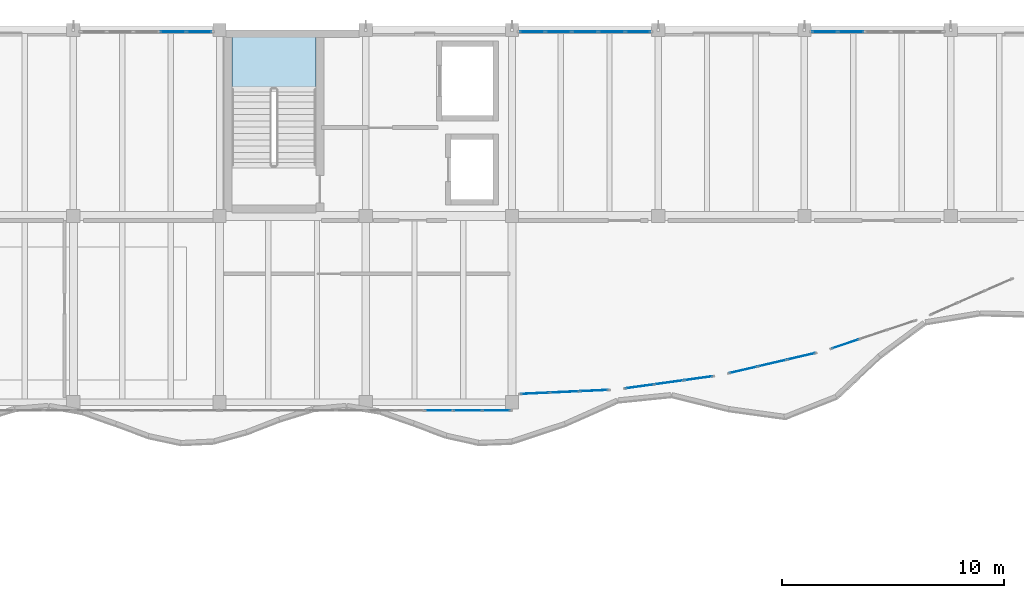
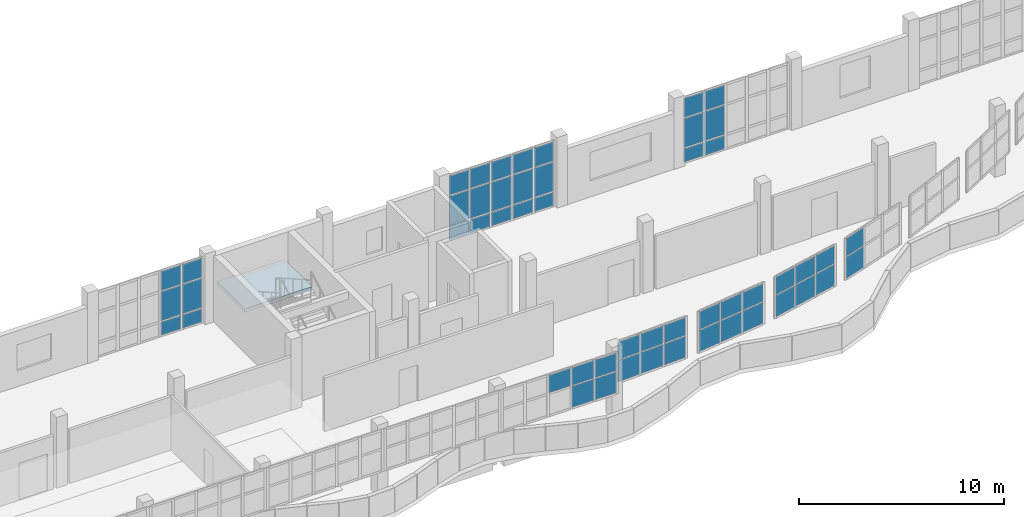
# One storey, part 37 of 74: 52 plates, 1 slab, 9 elements without a shape of their own.
"""IFC4 building model written with IfcOpenShell, lengths in metres."""

from ifc_helpers import new_model, si_unit, direction, frame, origin, origin_2d, place, context, subcontext, project, spatial, polyline, rectangle, outline, extrude, material, layer, layer_set, type_object, element, aggregate, save


model = new_model("IFC4")

# Units and contexts
model_context = context("Model", 3, precision=1e-05, world=origin(), true_north=direction((0.0, 1.0)))
body_context = subcontext(model_context, "Body", "Model", "MODEL_VIEW")
ifc_project = project(units=[si_unit("LENGTHUNIT", "METRE"), si_unit("AREAUNIT", "SQUARE_METRE"), si_unit("VOLUMEUNIT", "CUBIC_METRE"), si_unit("PLANEANGLEUNIT", "RADIAN"), si_unit("MASSUNIT", "GRAM", prefix="KILO")], contexts=[model_context])

# Site, building, storey
site_placement = place(None, origin())
site = spatial("IfcSite", under=ifc_project, at=site_placement, CompositionType="ELEMENT")
building_placement = place(site_placement, origin())
building = spatial("IfcBuilding", under=site, at=building_placement, Name="Qaldarim Faculty of Natural and Applied Sciences", CompositionType="ELEMENT")
storey_placement = place(building_placement, frame((0.0, 0.0, 14.39990234375)))
storey = spatial("IfcBuildingStorey", under=building, at=storey_placement, Name="L03", CompositionType="ELEMENT", Elevation=14.39990234375)

# Curtain wall, plates
ifc_material_1 = material(Name="Anodised aluminium AW-6063", Category="aluminium")
curtain_wall_type_1 = type_object("IfcCurtainWallType", Name="CurtainWallSystem-M1200", PredefinedType="USERDEFINED", material=ifc_material_1)
curtain_wall_1_placement = place(storey_placement, origin())
curtain_wall_1 = element("IfcCurtainWall", 1, at=curtain_wall_1_placement, inside=storey, type_object=curtain_wall_type_1, Name="Curtain wall CW-L03-N-X15Y14", ObjectType="STICK CURTAIN WALL", PredefinedType="USERDEFINED")
ifc_material_2 = material(Name="Insulated low-e double glazing", Category="glass")
ifc_layer_1 = layer(ifc_material_2, 0.031982421875)
ifc_layer_set_1 = layer_set([ifc_layer_1], Name="Insulated low-e double glazing")
plate_type_1 = type_object("IfcPlateType", Name="SolarControlGlazingPanel-32", PredefinedType="CURTAIN_PANEL", material=ifc_layer_set_1)
plate_1_placement = place(storey_placement, frame((98.08642578125, 117.52001953125, 0.070068359375), z_axis=(0.0, 0.0, 1.0), x_axis=(-1.0, 0.0, 0.0)))
plate_1 = element("IfcPlate", 2, at=plate_1_placement, type_object=plate_type_1, Name="Glazed panel 1-1 of CW-L03-N-X15Y14", PredefinedType="CURTAIN_PANEL", context=body_context, shape_type="SweptSolid", body=[
    extrude(rectangle(XDim=1.096923828125, YDim=0.031982421875, at=origin_2d()), origin(), (0.0, 0.0, 1.0), 0.794921875),
])
plate_2_placement = place(storey_placement, frame((98.08642578125, 117.52001953125, 0.93505859375), z_axis=(0.0, 0.0, 1.0), x_axis=(-1.0, 0.0, 0.0)))
plate_2 = element("IfcPlate", 3, at=plate_2_placement, type_object=plate_type_1, Name="Glazed panel 1-2 of CW-L03-N-X15Y14", PredefinedType="CURTAIN_PANEL", context=body_context, shape_type="SweptSolid", body=[
    extrude(rectangle(XDim=1.096923828125, YDim=0.031982421875, at=origin_2d()), origin(), (0.0, 0.0, 1.0), 1.72998046875),
])
plate_3_placement = place(storey_placement, frame((98.08642578125, 117.52001953125, 2.73486328125), z_axis=(0.0, 0.0, 1.0), x_axis=(-1.0, 0.0, 0.0)))
plate_3 = element("IfcPlate", 4, at=plate_3_placement, type_object=plate_type_1, Name="Glazed panel 1-3 of CW-L03-N-X15Y14", PredefinedType="CURTAIN_PANEL", context=body_context, shape_type="SweptSolid", body=[
    extrude(rectangle(XDim=1.096923828125, YDim=0.031982421875, at=origin_2d()), origin(), (0.0, 0.0, 1.0), 1.135009765625),
])
plate_4_placement = place(storey_placement, frame((96.902099609375, 117.52001953125, 0.070068359375), z_axis=(0.0, 0.0, 1.0), x_axis=(-1.0, 0.0, 0.0)))
plate_4 = element("IfcPlate", 5, at=plate_4_placement, type_object=plate_type_1, Name="Glazed panel 2-1 of CW-L03-N-X15Y14", PredefinedType="CURTAIN_PANEL", context=body_context, shape_type="SweptSolid", body=[
    extrude(rectangle(XDim=1.132080078125, YDim=0.031982421875, at=origin_2d()), origin(), (0.0, 0.0, 1.0), 0.794921875),
])
plate_5_placement = place(storey_placement, frame((96.902099609375, 117.52001953125, 0.93505859375), z_axis=(0.0, 0.0, 1.0), x_axis=(-1.0, 0.0, 0.0)))
plate_5 = element("IfcPlate", 6, at=plate_5_placement, type_object=plate_type_1, Name="Glazed panel 2-2 of CW-L03-N-X15Y14", PredefinedType="CURTAIN_PANEL", context=body_context, shape_type="SweptSolid", body=[
    extrude(rectangle(XDim=1.132080078125, YDim=0.031982421875, at=origin_2d()), origin(), (0.0, 0.0, 1.0), 1.72998046875),
])
plate_6_placement = place(storey_placement, frame((96.902099609375, 117.52001953125, 2.73486328125), z_axis=(0.0, 0.0, 1.0), x_axis=(-1.0, 0.0, 0.0)))
plate_6 = element("IfcPlate", 7, at=plate_6_placement, type_object=plate_type_1, Name="Glazed panel 2-3 of CW-L03-N-X15Y14", PredefinedType="CURTAIN_PANEL", context=body_context, shape_type="SweptSolid", body=[
    extrude(rectangle(XDim=1.132080078125, YDim=0.031982421875, at=origin_2d()), origin(), (0.0, 0.0, 1.0), 1.135009765625),
])
aggregate(curtain_wall_1, [plate_1, plate_2, plate_3, plate_4, plate_5, plate_6])

curtain_wall_2_placement = place(storey_placement, origin())
curtain_wall_2 = element("IfcCurtainWall", 8, at=curtain_wall_2_placement, inside=storey, type_object=curtain_wall_type_1, Name="Curtain wall CW-L03-N-X18Y14", ObjectType="STICK CURTAIN WALL", PredefinedType="USERDEFINED")
plate_7_placement = place(storey_placement, frame((117.886474609375, 117.52001953125, 0.070068359375), z_axis=(0.0, 0.0, 1.0), x_axis=(-1.0, 0.0, 0.0)))
plate_7 = element("IfcPlate", 9, at=plate_7_placement, type_object=plate_type_1, Name="Glazed panel 1-1 of CW-L03-N-X18Y14", PredefinedType="CURTAIN_PANEL", context=body_context, shape_type="SweptSolid", body=[
    extrude(rectangle(XDim=1.096923828125, YDim=0.031982421875, at=origin_2d()), origin(), (0.0, 0.0, 1.0), 0.794921875),
])
plate_8_placement = place(storey_placement, frame((117.886474609375, 117.52001953125, 0.93505859375), z_axis=(0.0, 0.0, 1.0), x_axis=(-1.0, 0.0, 0.0)))
plate_8 = element("IfcPlate", 10, at=plate_8_placement, type_object=plate_type_1, Name="Glazed panel 1-2 of CW-L03-N-X18Y14", PredefinedType="CURTAIN_PANEL", context=body_context, shape_type="SweptSolid", body=[
    extrude(rectangle(XDim=1.096923828125, YDim=0.031982421875, at=origin_2d()), origin(), (0.0, 0.0, 1.0), 1.72998046875),
])
plate_9_placement = place(storey_placement, frame((117.886474609375, 117.52001953125, 2.73486328125), z_axis=(0.0, 0.0, 1.0), x_axis=(-1.0, 0.0, 0.0)))
plate_9 = element("IfcPlate", 11, at=plate_9_placement, type_object=plate_type_1, Name="Glazed panel 1-3 of CW-L03-N-X18Y14", PredefinedType="CURTAIN_PANEL", context=body_context, shape_type="SweptSolid", body=[
    extrude(rectangle(XDim=1.096923828125, YDim=0.031982421875, at=origin_2d()), origin(), (0.0, 0.0, 1.0), 1.135009765625),
])
plate_10_placement = place(storey_placement, frame((116.701904296875, 117.52001953125, 0.070068359375), z_axis=(0.0, 0.0, 1.0), x_axis=(-1.0, 0.0, 0.0)))
plate_10 = element("IfcPlate", 12, at=plate_10_placement, type_object=plate_type_1, Name="Glazed panel 2-1 of CW-L03-N-X18Y14", PredefinedType="CURTAIN_PANEL", context=body_context, shape_type="SweptSolid", body=[
    extrude(rectangle(XDim=1.132080078125, YDim=0.031982421875, at=origin_2d()), origin(), (0.0, 0.0, 1.0), 0.794921875),
])
plate_11_placement = place(storey_placement, frame((116.701904296875, 117.52001953125, 0.93505859375), z_axis=(0.0, 0.0, 1.0), x_axis=(-1.0, 0.0, 0.0)))
plate_11 = element("IfcPlate", 13, at=plate_11_placement, type_object=plate_type_1, Name="Glazed panel 2-2 of CW-L03-N-X18Y14", PredefinedType="CURTAIN_PANEL", context=body_context, shape_type="SweptSolid", body=[
    extrude(rectangle(XDim=1.132080078125, YDim=0.031982421875, at=origin_2d()), origin(), (0.0, 0.0, 1.0), 1.72998046875),
])
plate_12_placement = place(storey_placement, frame((116.701904296875, 117.52001953125, 2.73486328125), z_axis=(0.0, 0.0, 1.0), x_axis=(-1.0, 0.0, 0.0)))
plate_12 = element("IfcPlate", 14, at=plate_12_placement, type_object=plate_type_1, Name="Glazed panel 2-3 of CW-L03-N-X18Y14", PredefinedType="CURTAIN_PANEL", context=body_context, shape_type="SweptSolid", body=[
    extrude(rectangle(XDim=1.132080078125, YDim=0.031982421875, at=origin_2d()), origin(), (0.0, 0.0, 1.0), 1.135009765625),
])
plate_13_placement = place(storey_placement, frame((115.5, 117.52001953125, 0.070068359375), z_axis=(0.0, 0.0, 1.0), x_axis=(-1.0, 0.0, 0.0)))
plate_13 = element("IfcPlate", 15, at=plate_13_placement, type_object=plate_type_1, Name="Glazed panel 3-1 of CW-L03-N-X18Y14", PredefinedType="CURTAIN_PANEL", context=body_context, shape_type="SweptSolid", body=[
    extrude(rectangle(XDim=1.132080078125, YDim=0.031982421875, at=origin_2d()), origin(), (0.0, 0.0, 1.0), 0.794921875),
])
plate_14_placement = place(storey_placement, frame((115.5, 117.52001953125, 0.93505859375), z_axis=(0.0, 0.0, 1.0), x_axis=(-1.0, 0.0, 0.0)))
plate_14 = element("IfcPlate", 16, at=plate_14_placement, type_object=plate_type_1, Name="Glazed panel 3-2 of CW-L03-N-X18Y14", PredefinedType="CURTAIN_PANEL", context=body_context, shape_type="SweptSolid", body=[
    extrude(rectangle(XDim=1.132080078125, YDim=0.031982421875, at=origin_2d()), origin(), (0.0, 0.0, 1.0), 1.72998046875),
])
plate_15_placement = place(storey_placement, frame((115.5, 117.52001953125, 2.73486328125), z_axis=(0.0, 0.0, 1.0), x_axis=(-1.0, 0.0, 0.0)))
plate_15 = element("IfcPlate", 17, at=plate_15_placement, type_object=plate_type_1, Name="Glazed panel 3-3 of CW-L03-N-X18Y14", PredefinedType="CURTAIN_PANEL", context=body_context, shape_type="SweptSolid", body=[
    extrude(rectangle(XDim=1.132080078125, YDim=0.031982421875, at=origin_2d()), origin(), (0.0, 0.0, 1.0), 1.135009765625),
])
plate_16_placement = place(storey_placement, frame((114.298095703125, 117.52001953125, 0.070068359375), z_axis=(0.0, 0.0, 1.0), x_axis=(-1.0, 0.0, 0.0)))
plate_16 = element("IfcPlate", 18, at=plate_16_placement, type_object=plate_type_1, Name="Glazed panel 4-1 of CW-L03-N-X18Y14", PredefinedType="CURTAIN_PANEL", context=body_context, shape_type="SweptSolid", body=[
    extrude(rectangle(XDim=1.132080078125, YDim=0.031982421875, at=origin_2d()), origin(), (0.0, 0.0, 1.0), 0.794921875),
])
plate_17_placement = place(storey_placement, frame((114.298095703125, 117.52001953125, 0.93505859375), z_axis=(0.0, 0.0, 1.0), x_axis=(-1.0, 0.0, 0.0)))
plate_17 = element("IfcPlate", 19, at=plate_17_placement, type_object=plate_type_1, Name="Glazed panel 4-2 of CW-L03-N-X18Y14", PredefinedType="CURTAIN_PANEL", context=body_context, shape_type="SweptSolid", body=[
    extrude(rectangle(XDim=1.132080078125, YDim=0.031982421875, at=origin_2d()), origin(), (0.0, 0.0, 1.0), 1.72998046875),
])
plate_18_placement = place(storey_placement, frame((114.298095703125, 117.52001953125, 2.73486328125), z_axis=(0.0, 0.0, 1.0), x_axis=(-1.0, 0.0, 0.0)))
plate_18 = element("IfcPlate", 20, at=plate_18_placement, type_object=plate_type_1, Name="Glazed panel 4-3 of CW-L03-N-X18Y14", PredefinedType="CURTAIN_PANEL", context=body_context, shape_type="SweptSolid", body=[
    extrude(rectangle(XDim=1.132080078125, YDim=0.031982421875, at=origin_2d()), origin(), (0.0, 0.0, 1.0), 1.135009765625),
])
plate_19_placement = place(storey_placement, frame((113.113525390625, 117.52001953125, 0.070068359375), z_axis=(0.0, 0.0, 1.0), x_axis=(-1.0, 0.0, 0.0)))
plate_19 = element("IfcPlate", 21, at=plate_19_placement, type_object=plate_type_1, Name="Glazed panel 5-1 of CW-L03-N-X18Y14", PredefinedType="CURTAIN_PANEL", context=body_context, shape_type="SweptSolid", body=[
    extrude(rectangle(XDim=1.096923828125, YDim=0.031982421875, at=origin_2d()), origin(), (0.0, 0.0, 1.0), 0.794921875),
])
plate_20_placement = place(storey_placement, frame((113.113525390625, 117.52001953125, 0.93505859375), z_axis=(0.0, 0.0, 1.0), x_axis=(-1.0, 0.0, 0.0)))
plate_20 = element("IfcPlate", 22, at=plate_20_placement, type_object=plate_type_1, Name="Glazed panel 5-2 of CW-L03-N-X18Y14", PredefinedType="CURTAIN_PANEL", context=body_context, shape_type="SweptSolid", body=[
    extrude(rectangle(XDim=1.096923828125, YDim=0.031982421875, at=origin_2d()), origin(), (0.0, 0.0, 1.0), 1.72998046875),
])
plate_21_placement = place(storey_placement, frame((113.113525390625, 117.52001953125, 2.73486328125), z_axis=(0.0, 0.0, 1.0), x_axis=(-1.0, 0.0, 0.0)))
plate_21 = element("IfcPlate", 23, at=plate_21_placement, type_object=plate_type_1, Name="Glazed panel 5-3 of CW-L03-N-X18Y14", PredefinedType="CURTAIN_PANEL", context=body_context, shape_type="SweptSolid", body=[
    extrude(rectangle(XDim=1.096923828125, YDim=0.031982421875, at=origin_2d()), origin(), (0.0, 0.0, 1.0), 1.135009765625),
])
aggregate(curtain_wall_2, [plate_7, plate_8, plate_9, plate_10, plate_11, plate_12, plate_13, plate_14, plate_15, plate_16, plate_17, plate_18, plate_19, plate_20, plate_21])

curtain_wall_3_placement = place(storey_placement, origin())
curtain_wall_3 = element("IfcCurtainWall", 24, at=curtain_wall_3_placement, inside=storey, type_object=curtain_wall_type_1, Name="Curtain wall CW-L03-N-X20Y14", ObjectType="STICK CURTAIN WALL", PredefinedType="USERDEFINED")
plate_22_placement = place(storey_placement, frame((127.498046875, 117.52001953125, 0.070068359375), z_axis=(0.0, 0.0, 1.0), x_axis=(-1.0, 0.0, 0.0)))
plate_22 = element("IfcPlate", 25, at=plate_22_placement, type_object=plate_type_1, Name="Glazed panel 4-1 of CW-L03-N-X20Y14", PredefinedType="CURTAIN_PANEL", context=body_context, shape_type="SweptSolid", body=[
    extrude(rectangle(XDim=1.132080078125, YDim=0.031982421875, at=origin_2d()), origin(), (0.0, 0.0, 1.0), 0.794921875),
])
plate_23_placement = place(storey_placement, frame((127.498046875, 117.52001953125, 0.93505859375), z_axis=(0.0, 0.0, 1.0), x_axis=(-1.0, 0.0, 0.0)))
plate_23 = element("IfcPlate", 26, at=plate_23_placement, type_object=plate_type_1, Name="Glazed panel 4-2 of CW-L03-N-X20Y14", PredefinedType="CURTAIN_PANEL", context=body_context, shape_type="SweptSolid", body=[
    extrude(rectangle(XDim=1.132080078125, YDim=0.031982421875, at=origin_2d()), origin(), (0.0, 0.0, 1.0), 1.72998046875),
])
plate_24_placement = place(storey_placement, frame((127.498046875, 117.52001953125, 2.73486328125), z_axis=(0.0, 0.0, 1.0), x_axis=(-1.0, 0.0, 0.0)))
plate_24 = element("IfcPlate", 27, at=plate_24_placement, type_object=plate_type_1, Name="Glazed panel 4-3 of CW-L03-N-X20Y14", PredefinedType="CURTAIN_PANEL", context=body_context, shape_type="SweptSolid", body=[
    extrude(rectangle(XDim=1.132080078125, YDim=0.031982421875, at=origin_2d()), origin(), (0.0, 0.0, 1.0), 1.135009765625),
])
plate_25_placement = place(storey_placement, frame((126.3134765625, 117.52001953125, 0.070068359375), z_axis=(0.0, 0.0, 1.0), x_axis=(-1.0, 0.0, 0.0)))
plate_25 = element("IfcPlate", 28, at=plate_25_placement, type_object=plate_type_1, Name="Glazed panel 5-1 of CW-L03-N-X20Y14", PredefinedType="CURTAIN_PANEL", context=body_context, shape_type="SweptSolid", body=[
    extrude(rectangle(XDim=1.096923828125, YDim=0.031982421875, at=origin_2d()), origin(), (0.0, 0.0, 1.0), 0.794921875),
])
plate_26_placement = place(storey_placement, frame((126.3134765625, 117.52001953125, 0.93505859375), z_axis=(0.0, 0.0, 1.0), x_axis=(-1.0, 0.0, 0.0)))
plate_26 = element("IfcPlate", 29, at=plate_26_placement, type_object=plate_type_1, Name="Glazed panel 5-2 of CW-L03-N-X20Y14", PredefinedType="CURTAIN_PANEL", context=body_context, shape_type="SweptSolid", body=[
    extrude(rectangle(XDim=1.096923828125, YDim=0.031982421875, at=origin_2d()), origin(), (0.0, 0.0, 1.0), 1.72998046875),
])
plate_27_placement = place(storey_placement, frame((126.3134765625, 117.52001953125, 2.73486328125), z_axis=(0.0, 0.0, 1.0), x_axis=(-1.0, 0.0, 0.0)))
plate_27 = element("IfcPlate", 30, at=plate_27_placement, type_object=plate_type_1, Name="Glazed panel 5-3 of CW-L03-N-X20Y14", PredefinedType="CURTAIN_PANEL", context=body_context, shape_type="SweptSolid", body=[
    extrude(rectangle(XDim=1.096923828125, YDim=0.031982421875, at=origin_2d()), origin(), (0.0, 0.0, 1.0), 1.135009765625),
])
aggregate(curtain_wall_3, [plate_22, plate_23, plate_24, plate_25, plate_26, plate_27])

# Stair, slab
ifc_material_3 = material(Name="Concrete C40/50", Category="concrete")
stair_type = type_object("IfcStairType", Name="DoglegStair-W1800-H4200-26R", PredefinedType="HALF_TURN_STAIR", material=ifc_material_3)
stair_placement = place(storey_placement, origin())
stair = element("IfcStair", 31, at=stair_placement, inside=storey, type_object=stair_type, Name="Enclosed exit stair ST-B1 L03", PredefinedType="HALF_TURN_STAIR")
ifc_layer_2 = layer(ifc_material_3, 0.2099609375)
ifc_layer_set_2 = layer_set([ifc_layer_2], Name="Concrete C40/50")
slab_type = type_object("IfcSlabType", Name="StairLandingSlab-210", PredefinedType="LANDING", material=ifc_layer_set_2)
slab_placement = place(storey_placement, frame((0.0, 0.0, 1.89013671875)))
slab = element("IfcSlab", 32, at=slab_placement, type_object=slab_type, Name="ST-B1 L03 half-landing 1", PredefinedType="LANDING", context=body_context, shape_type="SweptSolid", body=[
    extrude(outline(polyline([(103.35009765625, 114.905029296875), (103.35009765625, 117.60009765625), (99.550048828125, 117.60009765625), (99.550048828125, 114.905029296875), (103.35009765625, 114.905029296875)])), origin(), (0.0, 0.0, 1.0), 0.2099609375),
])
aggregate(stair, [slab])

# Curtain wall, plates
curtain_wall_type_2 = type_object("IfcCurtainWallType", Name="CurtainWallSystem-M1400", PredefinedType="USERDEFINED", material=ifc_material_1)
curtain_wall_4_placement = place(storey_placement, origin())
curtain_wall_4 = element("IfcCurtainWall", 33, at=curtain_wall_4_placement, inside=storey, type_object=curtain_wall_type_2, Name="Curtain wall CW-V4RIB-L03-X17", ObjectType="STICK CURTAIN WALL", PredefinedType="USERDEFINED")
ifc_layer_3 = layer(ifc_material_2, 0.028076171875)
ifc_layer_set_3 = layer_set([ifc_layer_3], Name="Insulated low-e double glazing")
plate_type_2 = type_object("IfcPlateType", Name="VisionGlazingPanel-28", PredefinedType="CURTAIN_PANEL", material=ifc_layer_set_3)
plate_28_placement = place(storey_placement, frame((108.89990234375, 100.419921875, 2.830078125), z_axis=(0.0, 0.0, 1.0), x_axis=(1.0, 0.0, 0.0)))
plate_28 = element("IfcPlate", 34, at=plate_28_placement, type_object=plate_type_2, Name="Glazed panel 3-2 of CW-V4RIB-L03-X17", PredefinedType="CURTAIN_PANEL", context=body_context, shape_type="SweptSolid", body=[
    extrude(rectangle(XDim=1.243896484375, YDim=0.028076171875, at=origin_2d()), origin(), (0.0, 0.0, 1.0), 1.050048828125),
])
plate_29_placement = place(storey_placement, frame((110.2041015625, 100.419921875, 1.51025390625), z_axis=(0.0, 0.0, 1.0), x_axis=(1.0, 0.0, 0.0)))
plate_29 = element("IfcPlate", 35, at=plate_29_placement, type_object=plate_type_2, Name="Glazed panel 4-1 of CW-V4RIB-L03-X17", PredefinedType="CURTAIN_PANEL", context=body_context, shape_type="SweptSolid", body=[
    extrude(rectangle(XDim=1.243896484375, YDim=0.028076171875, at=origin_2d()), origin(), (0.0, 0.0, 1.0), 1.260009765625),
])
plate_30_placement = place(storey_placement, frame((110.2041015625, 100.419921875, 2.830078125), z_axis=(0.0, 0.0, 1.0), x_axis=(1.0, 0.0, 0.0)))
plate_30 = element("IfcPlate", 36, at=plate_30_placement, type_object=plate_type_2, Name="Glazed panel 4-2 of CW-V4RIB-L03-X17", PredefinedType="CURTAIN_PANEL", context=body_context, shape_type="SweptSolid", body=[
    extrude(rectangle(XDim=1.243896484375, YDim=0.028076171875, at=origin_2d()), origin(), (0.0, 0.0, 1.0), 1.050048828125),
])
plate_31_placement = place(storey_placement, frame((111.492919921875, 100.419921875, 1.51025390625), z_axis=(0.0, 0.0, 1.0), x_axis=(1.0, 0.0, 0.0)))
plate_31 = element("IfcPlate", 37, at=plate_31_placement, type_object=plate_type_2, Name="Glazed panel 5-1 of CW-V4RIB-L03-X17", PredefinedType="CURTAIN_PANEL", context=body_context, shape_type="SweptSolid", body=[
    extrude(rectangle(XDim=1.214111328125, YDim=0.028076171875, at=origin_2d()), origin(), (0.0, 0.0, 1.0), 1.260009765625),
])
plate_32_placement = place(storey_placement, frame((111.492919921875, 100.419921875, 2.830078125), z_axis=(0.0, 0.0, 1.0), x_axis=(1.0, 0.0, 0.0)))
plate_32 = element("IfcPlate", 38, at=plate_32_placement, type_object=plate_type_2, Name="Glazed panel 5-2 of CW-V4RIB-L03-X17", PredefinedType="CURTAIN_PANEL", context=body_context, shape_type="SweptSolid", body=[
    extrude(rectangle(XDim=1.214111328125, YDim=0.028076171875, at=origin_2d()), origin(), (0.0, 0.0, 1.0), 1.050048828125),
])
aggregate(curtain_wall_4, [plate_28, plate_29, plate_30, plate_31, plate_32])

curtain_wall_5_placement = place(storey_placement, origin())
curtain_wall_5 = element("IfcCurtainWall", 39, at=curtain_wall_5_placement, inside=storey, type_object=curtain_wall_type_2, Name="Curtain wall CW-V4ARC-L03-00", ObjectType="STICK CURTAIN WALL", PredefinedType="USERDEFINED")
plate_33_placement = place(storey_placement, frame((113.23828125, 101.196533203125, 1.51025390625), z_axis=(0.0, 0.0, 1.0), x_axis=(0.998953078013, 0.045746561938, 0.0)))
plate_33 = element("IfcPlate", 40, at=plate_33_placement, type_object=plate_type_2, Name="Glazed panel 1-1 of CW-V4ARC-L03-00", PredefinedType="CURTAIN_PANEL", context=body_context, shape_type="SweptSolid", body=[
    extrude(rectangle(XDim=1.258056640625, YDim=0.028076171875, at=origin_2d()), origin(), (0.0, 0.0, 1.0), 1.260009765625),
])
plate_34_placement = place(storey_placement, frame((113.23828125, 101.196533203125, 2.830078125), z_axis=(0.0, 0.0, 1.0), x_axis=(0.998953078013, 0.045746561938, 0.0)))
plate_34 = element("IfcPlate", 41, at=plate_34_placement, type_object=plate_type_2, Name="Glazed panel 1-2 of CW-V4ARC-L03-00", PredefinedType="CURTAIN_PANEL", context=body_context, shape_type="SweptSolid", body=[
    extrude(rectangle(XDim=1.258056640625, YDim=0.028076171875, at=origin_2d()), origin(), (0.0, 0.0, 1.0), 1.050048828125),
])
plate_35_placement = place(storey_placement, frame((114.570068359375, 101.257568359375, 1.51025390625), z_axis=(0.0, 0.0, 1.0), x_axis=(0.998953078013, 0.045746561938, 0.0)))
plate_35 = element("IfcPlate", 42, at=plate_35_placement, type_object=plate_type_2, Name="Glazed panel 2-1 of CW-V4ARC-L03-00", PredefinedType="CURTAIN_PANEL", context=body_context, shape_type="SweptSolid", body=[
    extrude(rectangle(XDim=1.2880859375, YDim=0.028076171875, at=origin_2d()), origin(), (0.0, 0.0, 1.0), 1.260009765625),
])
plate_36_placement = place(storey_placement, frame((114.570068359375, 101.257568359375, 2.830078125), z_axis=(0.0, 0.0, 1.0), x_axis=(0.998953078013, 0.045746561938, 0.0)))
plate_36 = element("IfcPlate", 43, at=plate_36_placement, type_object=plate_type_2, Name="Glazed panel 2-2 of CW-V4ARC-L03-00", PredefinedType="CURTAIN_PANEL", context=body_context, shape_type="SweptSolid", body=[
    extrude(rectangle(XDim=1.2880859375, YDim=0.028076171875, at=origin_2d()), origin(), (0.0, 0.0, 1.0), 1.050048828125),
])
plate_37_placement = place(storey_placement, frame((115.901611328125, 101.318603515625, 1.51025390625), z_axis=(0.0, 0.0, 1.0), x_axis=(0.998953078013, 0.045746561938, 0.0)))
plate_37 = element("IfcPlate", 44, at=plate_37_placement, type_object=plate_type_2, Name="Glazed panel 3-1 of CW-V4ARC-L03-00", PredefinedType="CURTAIN_PANEL", context=body_context, shape_type="SweptSolid", body=[
    extrude(rectangle(XDim=1.258056640625, YDim=0.028076171875, at=origin_2d()), origin(), (0.0, 0.0, 1.0), 1.260009765625),
])
plate_38_placement = place(storey_placement, frame((115.901611328125, 101.318603515625, 2.830078125), z_axis=(0.0, 0.0, 1.0), x_axis=(0.998953078013, 0.045746561938, 0.0)))
plate_38 = element("IfcPlate", 45, at=plate_38_placement, type_object=plate_type_2, Name="Glazed panel 3-2 of CW-V4ARC-L03-00", PredefinedType="CURTAIN_PANEL", context=body_context, shape_type="SweptSolid", body=[
    extrude(rectangle(XDim=1.258056640625, YDim=0.028076171875, at=origin_2d()), origin(), (0.0, 0.0, 1.0), 1.050048828125),
])
aggregate(curtain_wall_5, [plate_33, plate_34, plate_35, plate_36, plate_37, plate_38])

curtain_wall_6_placement = place(storey_placement, origin())
curtain_wall_6 = element("IfcCurtainWall", 46, at=curtain_wall_6_placement, inside=storey, type_object=curtain_wall_type_2, Name="Curtain wall CW-V4ARC-L03-02", ObjectType="STICK CURTAIN WALL", PredefinedType="USERDEFINED")
plate_39_placement = place(storey_placement, frame((117.96826171875, 101.509521484375, 1.51025390625), z_axis=(0.0, 0.0, 1.0), x_axis=(0.990557380089, 0.137098784642, 0.0)))
plate_39 = element("IfcPlate", 47, at=plate_39_placement, type_object=plate_type_2, Name="Glazed panel 1-1 of CW-V4ARC-L03-02", PredefinedType="CURTAIN_PANEL", context=body_context, shape_type="SweptSolid", body=[
    extrude(rectangle(XDim=1.259521484375, YDim=0.028076171875, at=origin_2d()), origin(), (0.0, 0.0, 1.0), 1.260009765625),
])
plate_40_placement = place(storey_placement, frame((117.96826171875, 101.509521484375, 2.830078125), z_axis=(0.0, 0.0, 1.0), x_axis=(0.990557380089, 0.137098784642, 0.0)))
plate_40 = element("IfcPlate", 48, at=plate_40_placement, type_object=plate_type_2, Name="Glazed panel 1-2 of CW-V4ARC-L03-02", PredefinedType="CURTAIN_PANEL", context=body_context, shape_type="SweptSolid", body=[
    extrude(rectangle(XDim=1.259521484375, YDim=0.028076171875, at=origin_2d()), origin(), (0.0, 0.0, 1.0), 1.050048828125),
])
plate_41_placement = place(storey_placement, frame((119.2900390625, 101.6923828125, 1.51025390625), z_axis=(0.0, 0.0, 1.0), x_axis=(0.990557380089, 0.137098784642, 0.0)))
plate_41 = element("IfcPlate", 49, at=plate_41_placement, type_object=plate_type_2, Name="Glazed panel 2-1 of CW-V4ARC-L03-02", PredefinedType="CURTAIN_PANEL", context=body_context, shape_type="SweptSolid", body=[
    extrude(rectangle(XDim=1.289306640625, YDim=0.028076171875, at=origin_2d()), origin(), (0.0, 0.0, 1.0), 1.260009765625),
])
plate_42_placement = place(storey_placement, frame((119.2900390625, 101.6923828125, 2.830078125), z_axis=(0.0, 0.0, 1.0), x_axis=(0.990557380089, 0.137098784642, 0.0)))
plate_42 = element("IfcPlate", 50, at=plate_42_placement, type_object=plate_type_2, Name="Glazed panel 2-2 of CW-V4ARC-L03-02", PredefinedType="CURTAIN_PANEL", context=body_context, shape_type="SweptSolid", body=[
    extrude(rectangle(XDim=1.289306640625, YDim=0.028076171875, at=origin_2d()), origin(), (0.0, 0.0, 1.0), 1.050048828125),
])
plate_43_placement = place(storey_placement, frame((120.61181640625, 101.87548828125, 1.51025390625), z_axis=(0.0, 0.0, 1.0), x_axis=(0.990557380089, 0.137098784642, 0.0)))
plate_43 = element("IfcPlate", 51, at=plate_43_placement, type_object=plate_type_2, Name="Glazed panel 3-1 of CW-V4ARC-L03-02", PredefinedType="CURTAIN_PANEL", context=body_context, shape_type="SweptSolid", body=[
    extrude(rectangle(XDim=1.259521484375, YDim=0.028076171875, at=origin_2d()), origin(), (0.0, 0.0, 1.0), 1.260009765625),
])
plate_44_placement = place(storey_placement, frame((120.61181640625, 101.87548828125, 2.830078125), z_axis=(0.0, 0.0, 1.0), x_axis=(0.990557380089, 0.137098784642, 0.0)))
plate_44 = element("IfcPlate", 52, at=plate_44_placement, type_object=plate_type_2, Name="Glazed panel 3-2 of CW-V4ARC-L03-02", PredefinedType="CURTAIN_PANEL", context=body_context, shape_type="SweptSolid", body=[
    extrude(rectangle(XDim=1.259521484375, YDim=0.028076171875, at=origin_2d()), origin(), (0.0, 0.0, 1.0), 1.050048828125),
])
aggregate(curtain_wall_6, [plate_39, plate_40, plate_41, plate_42, plate_43, plate_44])

curtain_wall_7_placement = place(storey_placement, origin())
curtain_wall_7 = element("IfcCurtainWall", 53, at=curtain_wall_7_placement, inside=storey, type_object=curtain_wall_type_2, Name="Curtain wall CW-V4ARC-L03-04", ObjectType="STICK CURTAIN WALL", PredefinedType="USERDEFINED")
plate_45_placement = place(storey_placement, frame((122.6513671875, 102.256591796875, 1.51025390625), z_axis=(0.0, 0.0, 1.0), x_axis=(0.973805593108, 0.2273822043, 0.0)))
plate_45 = element("IfcPlate", 54, at=plate_45_placement, type_object=plate_type_2, Name="Glazed panel 1-1 of CW-V4ARC-L03-04", PredefinedType="CURTAIN_PANEL", context=body_context, shape_type="SweptSolid", body=[
    extrude(rectangle(XDim=1.2587890625, YDim=0.028076171875, at=origin_2d()), origin(), (0.0, 0.0, 1.0), 1.260009765625),
])
plate_46_placement = place(storey_placement, frame((122.6513671875, 102.256591796875, 2.830078125), z_axis=(0.0, 0.0, 1.0), x_axis=(0.973805593108, 0.2273822043, 0.0)))
plate_46 = element("IfcPlate", 55, at=plate_46_placement, type_object=plate_type_2, Name="Glazed panel 1-2 of CW-V4ARC-L03-04", PredefinedType="CURTAIN_PANEL", context=body_context, shape_type="SweptSolid", body=[
    extrude(rectangle(XDim=1.2587890625, YDim=0.028076171875, at=origin_2d()), origin(), (0.0, 0.0, 1.0), 1.050048828125),
])
plate_47_placement = place(storey_placement, frame((123.949951171875, 102.56005859375, 1.51025390625), z_axis=(0.0, 0.0, 1.0), x_axis=(0.973805593108, 0.2273822043, 0.0)))
plate_47 = element("IfcPlate", 56, at=plate_47_placement, type_object=plate_type_2, Name="Glazed panel 2-1 of CW-V4ARC-L03-04", PredefinedType="CURTAIN_PANEL", context=body_context, shape_type="SweptSolid", body=[
    extrude(rectangle(XDim=1.288818359375, YDim=0.028076171875, at=origin_2d()), origin(), (0.0, 0.0, 1.0), 1.260009765625),
])
plate_48_placement = place(storey_placement, frame((123.949951171875, 102.56005859375, 2.830078125), z_axis=(0.0, 0.0, 1.0), x_axis=(0.973805593108, 0.2273822043, 0.0)))
plate_48 = element("IfcPlate", 57, at=plate_48_placement, type_object=plate_type_2, Name="Glazed panel 2-2 of CW-V4ARC-L03-04", PredefinedType="CURTAIN_PANEL", context=body_context, shape_type="SweptSolid", body=[
    extrude(rectangle(XDim=1.288818359375, YDim=0.028076171875, at=origin_2d()), origin(), (0.0, 0.0, 1.0), 1.050048828125),
])
plate_49_placement = place(storey_placement, frame((125.248779296875, 102.86328125, 1.51025390625), z_axis=(0.0, 0.0, 1.0), x_axis=(0.973805593108, 0.2273822043, 0.0)))
plate_49 = element("IfcPlate", 58, at=plate_49_placement, type_object=plate_type_2, Name="Glazed panel 3-1 of CW-V4ARC-L03-04", PredefinedType="CURTAIN_PANEL", context=body_context, shape_type="SweptSolid", body=[
    extrude(rectangle(XDim=1.2587890625, YDim=0.028076171875, at=origin_2d()), origin(), (0.0, 0.0, 1.0), 1.260009765625),
])
plate_50_placement = place(storey_placement, frame((125.248779296875, 102.86328125, 2.830078125), z_axis=(0.0, 0.0, 1.0), x_axis=(0.973805593108, 0.2273822043, 0.0)))
plate_50 = element("IfcPlate", 59, at=plate_50_placement, type_object=plate_type_2, Name="Glazed panel 3-2 of CW-V4ARC-L03-04", PredefinedType="CURTAIN_PANEL", context=body_context, shape_type="SweptSolid", body=[
    extrude(rectangle(XDim=1.2587890625, YDim=0.028076171875, at=origin_2d()), origin(), (0.0, 0.0, 1.0), 1.050048828125),
])
aggregate(curtain_wall_7, [plate_45, plate_46, plate_47, plate_48, plate_49, plate_50])

curtain_wall_8_placement = place(storey_placement, origin())
curtain_wall_8 = element("IfcCurtainWall", 60, at=curtain_wall_8_placement, inside=storey, type_object=curtain_wall_type_2, Name="Curtain wall CW-V4ARC-L03-06", ObjectType="STICK CURTAIN WALL", PredefinedType="USERDEFINED")
plate_51_placement = place(storey_placement, frame((127.248291015625, 103.427978515625, 1.51025390625), z_axis=(0.0, 0.0, 1.0), x_axis=(0.94856152259, 0.316592858196, 0.0)))
plate_51 = element("IfcPlate", 61, at=plate_51_placement, type_object=plate_type_2, Name="Glazed panel 1-1 of CW-V4ARC-L03-06", PredefinedType="CURTAIN_PANEL", context=body_context, shape_type="SweptSolid", body=[
    extrude(rectangle(XDim=1.2578125, YDim=0.028076171875, at=origin_2d()), origin(), (0.0, 0.0, 1.0), 1.260009765625),
])
plate_52_placement = place(storey_placement, frame((127.248291015625, 103.427978515625, 2.830078125), z_axis=(0.0, 0.0, 1.0), x_axis=(0.94856152259, 0.316592858196, 0.0)))
plate_52 = element("IfcPlate", 62, at=plate_52_placement, type_object=plate_type_2, Name="Glazed panel 1-2 of CW-V4ARC-L03-06", PredefinedType="CURTAIN_PANEL", context=body_context, shape_type="SweptSolid", body=[
    extrude(rectangle(XDim=1.2578125, YDim=0.028076171875, at=origin_2d()), origin(), (0.0, 0.0, 1.0), 1.050048828125),
])
aggregate(curtain_wall_8, [plate_51, plate_52])

save(model, "model.ifc")
